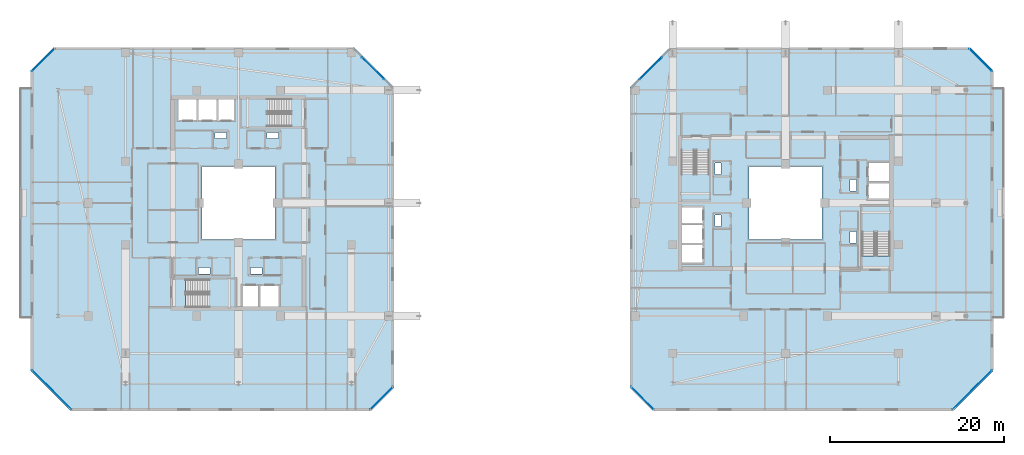
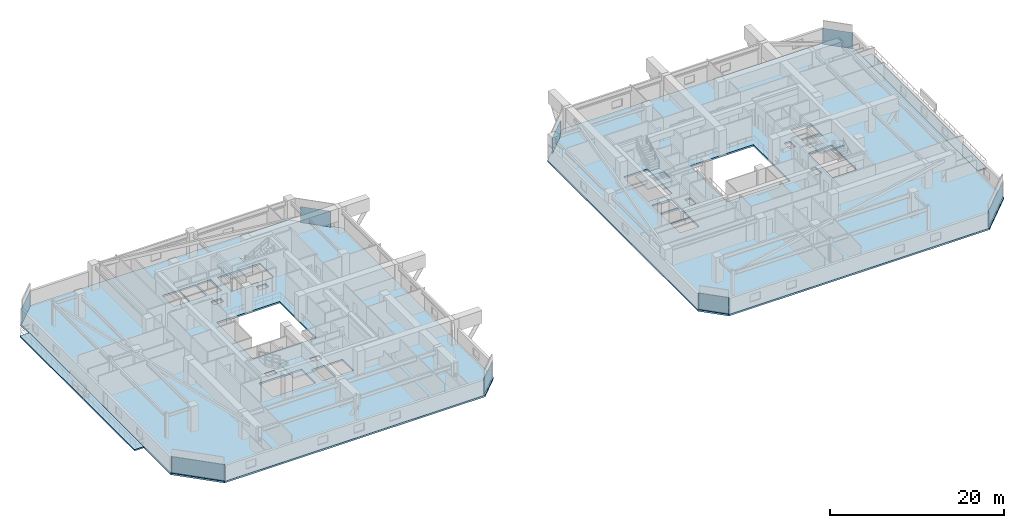
# One storey, part 17 of 34: 8 plates, 8 slabs, 12 elements without a shape of their own.
"""IFC4 building model written with IfcOpenShell, lengths in metres."""

from ifc_helpers import new_model, si_unit, direction, frame, origin, origin_2d, place, context, subcontext, project, spatial, polyline, rectangle, outline, extrude, material, layer, layer_set, type_object, element, aggregate, save


model = new_model("IFC4")

# Units and contexts
model_context = context("Model", 3, precision=1e-05, world=origin(), true_north=direction((0.0, 1.0)))
body_context = subcontext(model_context, "Body", "Model", "MODEL_VIEW")
ifc_project = project(units=[si_unit("LENGTHUNIT", "METRE"), si_unit("AREAUNIT", "SQUARE_METRE"), si_unit("VOLUMEUNIT", "CUBIC_METRE"), si_unit("PLANEANGLEUNIT", "RADIAN"), si_unit("MASSUNIT", "GRAM", prefix="KILO")], contexts=[model_context])

# Site, building, storey
site_placement = place(None, origin())
site = spatial("IfcSite", under=ifc_project, at=site_placement, CompositionType="ELEMENT")
building_placement = place(site_placement, origin())
building = spatial("IfcBuilding", under=site, at=building_placement, Name="Thornwick Lancets Civic Towers", CompositionType="ELEMENT")
storey_placement = place(building_placement, frame((0.0, 0.0, 251.10009765625)))
storey = spatial("IfcBuildingStorey", under=building, at=storey_placement, Name="L67", CompositionType="ELEMENT", Elevation=251.10009765625)

# Curtain wall, plate
ifc_material_1 = material(Name="High-zone chamfered-corner unitised glass curtain wall", Category="glass")
curtain_wall_type = type_object("IfcCurtainWallType", Name="CW_SYS_05", PredefinedType="NOTDEFINED", material=ifc_material_1)
curtain_wall_1_placement = place(storey_placement, origin())
curtain_wall_1 = element("IfcCurtainWall", 1, at=curtain_wall_1_placement, inside=storey, type_object=curtain_wall_type, Name="L67 Curtain Wall CW-L67-A-E1", PredefinedType="NOTDEFINED")
ifc_material_2 = material(Name="Low-e double glazing clear glass", Category="glass")
ifc_layer_1 = layer(ifc_material_2, 0.035888671875, Name="Low-e double glazing clear glass")
ifc_layer_set_1 = layer_set([ifc_layer_1], Name="Low-e double glazing clear glass")
plate_type = type_object("IfcPlateType", Name="CW_PNL_GLASS", PredefinedType="CURTAIN_PANEL", material=ifc_layer_set_1)
plate_1_placement = place(storey_placement, frame((41.972900390625, 4.527099609375, 0.0), z_axis=(0.0, 0.0, 1.0), x_axis=(0.707106781187, 0.707106781187, 0.0)))
plate_1 = element("IfcPlate", 2, at=plate_1_placement, type_object=plate_type, Name="CW-L67-A-E1 Panel 0", PredefinedType="CURTAIN_PANEL", context=body_context, shape_type="SweptSolid", body=[
    extrude(rectangle(XDim=3.649169921875, YDim=0.035888671875, at=origin_2d()), origin(), (0.0, 0.0, 1.0), 2.219970703125),
])
aggregate(curtain_wall_1, [plate_1])

curtain_wall_2_placement = place(storey_placement, origin())
curtain_wall_2 = element("IfcCurtainWall", 3, at=curtain_wall_2_placement, inside=storey, type_object=curtain_wall_type, Name="L67 Curtain Wall CW-L67-A-E3", PredefinedType="NOTDEFINED")
plate_2_placement = place(storey_placement, frame((41.004638671875, 42.504638671875, 0.0), z_axis=(0.0, 0.0, 1.0), x_axis=(-0.707106781187, 0.707106781187, 0.0)))
plate_2 = element("IfcPlate", 4, at=plate_2_placement, type_object=plate_type, Name="CW-L67-A-E3 Panel 0", PredefinedType="CURTAIN_PANEL", context=body_context, shape_type="SweptSolid", body=[
    extrude(rectangle(XDim=3.5771484375, YDim=0.035888671875, at=origin_2d()), origin(), (0.0, 0.0, 1.0), 2.219970703125),
])
aggregate(curtain_wall_2, [plate_2])

curtain_wall_3_placement = place(storey_placement, origin())
curtain_wall_3 = element("IfcCurtainWall", 5, at=curtain_wall_3_placement, inside=storey, type_object=curtain_wall_type, Name="L67 Curtain Wall CW-L67-A-E5", PredefinedType="NOTDEFINED")
plate_3_placement = place(storey_placement, frame((3.027099609375, 43.472900390625, 0.0), z_axis=(0.0, 0.0, 1.0), x_axis=(-0.707106781187, -0.707106781187, 0.0)))
plate_3 = element("IfcPlate", 6, at=plate_3_placement, type_object=plate_type, Name="CW-L67-A-E5 Panel 0", PredefinedType="CURTAIN_PANEL", context=body_context, shape_type="SweptSolid", body=[
    extrude(rectangle(XDim=3.649169921875, YDim=0.035888671875, at=origin_2d()), origin(), (0.0, 0.0, 1.0), 2.219970703125),
])
aggregate(curtain_wall_3, [plate_3])

curtain_wall_4_placement = place(storey_placement, origin())
curtain_wall_4 = element("IfcCurtainWall", 7, at=curtain_wall_4_placement, inside=storey, type_object=curtain_wall_type, Name="L67 Curtain Wall CW-L67-A-E7", PredefinedType="NOTDEFINED")
plate_4_placement = place(storey_placement, frame((3.995361328125, 5.495361328125, 0.0), z_axis=(0.0, 0.0, 1.0), x_axis=(0.707106781187, -0.707106781187, 0.0)))
plate_4 = element("IfcPlate", 8, at=plate_4_placement, type_object=plate_type, Name="CW-L67-A-E7 Panel 0", PredefinedType="CURTAIN_PANEL", context=body_context, shape_type="SweptSolid", body=[
    extrude(rectangle(XDim=6.370361328125, YDim=0.035888671875, at=origin_2d()), origin(), (0.0, 0.0, 1.0), 2.219970703125),
])
aggregate(curtain_wall_4, [plate_4])

curtain_wall_5_placement = place(storey_placement, origin())
curtain_wall_5 = element("IfcCurtainWall", 9, at=curtain_wall_5_placement, inside=storey, type_object=curtain_wall_type, Name="L67 Curtain Wall CW-L67-B-E1", PredefinedType="NOTDEFINED")
plate_5_placement = place(storey_placement, frame((110.004638671875, 5.495361328125, 0.0), z_axis=(0.0, 0.0, 1.0), x_axis=(0.707106781187, 0.707106781187, 0.0)))
plate_5 = element("IfcPlate", 10, at=plate_5_placement, type_object=plate_type, Name="CW-L67-B-E1 Panel 0", PredefinedType="CURTAIN_PANEL", context=body_context, shape_type="SweptSolid", body=[
    extrude(rectangle(XDim=6.370361328125, YDim=0.035888671875, at=origin_2d()), origin(), (0.0, 0.0, 1.0), 2.219970703125),
])
aggregate(curtain_wall_5, [plate_5])

curtain_wall_6_placement = place(storey_placement, origin())
curtain_wall_6 = element("IfcCurtainWall", 11, at=curtain_wall_6_placement, inside=storey, type_object=curtain_wall_type, Name="L67 Curtain Wall CW-L67-B-E3", PredefinedType="NOTDEFINED")
plate_6_placement = place(storey_placement, frame((110.972900390625, 43.472900390625, 0.0), z_axis=(0.0, 0.0, 1.0), x_axis=(-0.707106781187, 0.707106781187, 0.0)))
plate_6 = element("IfcPlate", 12, at=plate_6_placement, type_object=plate_type, Name="CW-L67-B-E3 Panel 0", PredefinedType="CURTAIN_PANEL", context=body_context, shape_type="SweptSolid", body=[
    extrude(rectangle(XDim=3.649169921875, YDim=0.035888671875, at=origin_2d()), origin(), (0.0, 0.0, 1.0), 2.219970703125),
])
aggregate(curtain_wall_6, [plate_6])

curtain_wall_7_placement = place(storey_placement, origin())
curtain_wall_7 = element("IfcCurtainWall", 13, at=curtain_wall_7_placement, inside=storey, type_object=curtain_wall_type, Name="L67 Curtain Wall CW-L67-B-E5", PredefinedType="NOTDEFINED")
plate_7_placement = place(storey_placement, frame((72.995361328125, 42.504638671875, 0.0), z_axis=(0.0, 0.0, 1.0), x_axis=(-0.707106781187, -0.707106781187, 0.0)))
plate_7 = element("IfcPlate", 14, at=plate_7_placement, type_object=plate_type, Name="CW-L67-B-E5 Panel 0", PredefinedType="CURTAIN_PANEL", context=body_context, shape_type="SweptSolid", body=[
    extrude(rectangle(XDim=3.5771484375, YDim=0.035888671875, at=origin_2d()), origin(), (0.0, 0.0, 1.0), 2.219970703125),
])
aggregate(curtain_wall_7, [plate_7])

curtain_wall_8_placement = place(storey_placement, origin())
curtain_wall_8 = element("IfcCurtainWall", 15, at=curtain_wall_8_placement, inside=storey, type_object=curtain_wall_type, Name="L67 Curtain Wall CW-L67-B-E7", PredefinedType="NOTDEFINED")
plate_8_placement = place(storey_placement, frame((72.027099609375, 4.527099609375, 0.0), z_axis=(0.0, 0.0, 1.0), x_axis=(0.707106781187, -0.707106781187, 0.0)))
plate_8 = element("IfcPlate", 16, at=plate_8_placement, type_object=plate_type, Name="CW-L67-B-E7 Panel 0", PredefinedType="CURTAIN_PANEL", context=body_context, shape_type="SweptSolid", body=[
    extrude(rectangle(XDim=3.649169921875, YDim=0.035888671875, at=origin_2d()), origin(), (0.0, 0.0, 1.0), 2.219970703125),
])
aggregate(curtain_wall_8, [plate_8])

# Slabs
ifc_material_3 = material(Name="Post-tensioned concrete C40/50", Category="concrete")
ifc_layer_2 = layer(ifc_material_3, 0.199951171875, Name="Post-tensioned concrete C40/50")
ifc_layer_set_2 = layer_set([ifc_layer_2], Name="Post-tensioned concrete C40/50")
slab_type_1 = type_object("IfcSlabType", Name="SLAB_BALCONY_200", PredefinedType="FLOOR", material=ifc_layer_set_2)
slab_1_placement = place(storey_placement, frame((0.0, 0.0, -0.2001953125)))
element("IfcSlab", 17, at=slab_1_placement, inside=storey, type_object=slab_type_1, Name="L67 Tower A Planted Balcony Slab W", PredefinedType="FLOOR", context=body_context, shape_type="SweptSolid", body=[
    extrude(outline(polyline([(0.35009765625, 13.800048828125), (1.60009765625, 13.800048828125), (1.60009765625, 40.199951171875), (0.35009765625, 40.199951171875), (0.35009765625, 13.800048828125)])), origin(), (0.0, 0.0, 1.0), 0.2001953125),
])
slab_2_placement = place(storey_placement, frame((0.0, 0.0, -0.2001953125)))
element("IfcSlab", 18, at=slab_2_placement, inside=storey, type_object=slab_type_1, Name="L67 Tower B Planted Balcony Slab E", PredefinedType="FLOOR", context=body_context, shape_type="SweptSolid", body=[
    extrude(outline(polyline([(112.39990234375, 13.800048828125), (113.64990234375, 13.800048828125), (113.64990234375, 40.199951171875), (112.39990234375, 40.199951171875), (112.39990234375, 13.800048828125)])), origin(), (0.0, 0.0, 1.0), 0.2001953125),
])

# Stair, slab
ifc_material_4 = material(Name="Concrete C40/50", Category="concrete")
stair_type = type_object("IfcStairType", Name="STAIR_DL_3600", PredefinedType="HALF_TURN_STAIR", material=ifc_material_4)
stair_1_placement = place(storey_placement, origin())
stair_1 = element("IfcStair", 19, at=stair_1_placement, inside=storey, type_object=stair_type, Name="L67 Tower A South Exit Stair ST-A1", PredefinedType="HALF_TURN_STAIR")
ifc_layer_3 = layer(ifc_material_4, 0.25, Name="Concrete C40/50")
ifc_layer_set_3 = layer_set([ifc_layer_3], Name="Concrete C40/50")
slab_type_2 = type_object("IfcSlabType", Name="SLAB_LANDING_200", PredefinedType="LANDING", material=ifc_layer_set_3)
slab_3_placement = place(storey_placement, frame((0.0, 0.0, 1.602783203125)))
slab_3 = element("IfcSlab", 20, at=slab_3_placement, type_object=slab_type_2, Name="ST-A1 landing 1", PredefinedType="LANDING", context=body_context, shape_type="SweptSolid", body=[
    extrude(outline(polyline([(22.169921875, 14.93994140625), (25.14990234375, 14.93994140625), (25.14990234375, 18.260009765625), (22.169921875, 18.260009765625), (22.169921875, 14.93994140625)])), origin(), (0.0, 0.0, 1.0), 0.2001953125),
])
aggregate(stair_1, [slab_3])

stair_2_placement = place(storey_placement, origin())
stair_2 = element("IfcStair", 21, at=stair_2_placement, inside=storey, type_object=stair_type, Name="L67 Tower A North Exit Stair ST-A2", PredefinedType="HALF_TURN_STAIR")
slab_4_placement = place(storey_placement, frame((0.0, 0.0, 1.602783203125)))
slab_4 = element("IfcSlab", 22, at=slab_4_placement, type_object=slab_type_2, Name="ST-A2 landing 1", PredefinedType="LANDING", context=body_context, shape_type="SweptSolid", body=[
    extrude(outline(polyline([(28.830078125, 39.06005859375), (25.85009765625, 39.06005859375), (25.85009765625, 35.739990234375), (28.830078125, 35.739990234375), (28.830078125, 39.06005859375)])), origin(), (0.0, 0.0, 1.0), 0.2001953125),
])
aggregate(stair_2, [slab_4])

stair_3_placement = place(storey_placement, origin())
stair_3 = element("IfcStair", 23, at=stair_3_placement, inside=storey, type_object=stair_type, Name="L67 Tower B East Exit Stair ST-B1", PredefinedType="HALF_TURN_STAIR")
slab_5_placement = place(storey_placement, frame((0.0, 0.0, 1.602783203125)))
slab_5 = element("IfcSlab", 24, at=slab_5_placement, type_object=slab_type_2, Name="ST-B1 landing 1", PredefinedType="LANDING", context=body_context, shape_type="SweptSolid", body=[
    extrude(outline(polyline([(100.56005859375, 23.669921875), (100.56005859375, 26.64990234375), (97.239990234375, 26.64990234375), (97.239990234375, 23.669921875), (100.56005859375, 23.669921875)])), origin(), (0.0, 0.0, 1.0), 0.2001953125),
])
aggregate(stair_3, [slab_5])

stair_4_placement = place(storey_placement, origin())
stair_4 = element("IfcStair", 25, at=stair_4_placement, inside=storey, type_object=stair_type, Name="L67 Tower B West Exit Stair ST-B2", PredefinedType="HALF_TURN_STAIR")
slab_6_placement = place(storey_placement, frame((0.0, 0.0, 1.602783203125)))
slab_6 = element("IfcSlab", 26, at=slab_6_placement, type_object=slab_type_2, Name="ST-B2 landing 1", PredefinedType="LANDING", context=body_context, shape_type="SweptSolid", body=[
    extrude(outline(polyline([(76.43994140625, 30.330078125), (76.43994140625, 27.35009765625), (79.760009765625, 27.35009765625), (79.760009765625, 30.330078125), (76.43994140625, 30.330078125)])), origin(), (0.0, 0.0, 1.0), 0.2001953125),
])
aggregate(stair_4, [slab_6])

# Slabs
ifc_layer_4 = layer(ifc_material_3, 0.239990234375, Name="Post-tensioned concrete C40/50")
ifc_layer_set_4 = layer_set([ifc_layer_4], Name="Post-tensioned concrete C40/50")
slab_type_3 = type_object("IfcSlabType", Name="SLAB_PT_240", PredefinedType="FLOOR", material=ifc_layer_set_4)
slab_7_placement = place(storey_placement, frame((0.0, 0.0, -0.239990234375)))
element("IfcSlab", 27, at=slab_7_placement, inside=storey, type_object=slab_type_3, Name="L67 Tower A Floor Slab", PredefinedType="FLOOR", context=body_context, shape_type="SweptSolid", body=[
    extrude(outline(polyline([(6.137939453125, 3.10009765625), (40.800048828125, 3.10009765625), (43.39990234375, 5.699951171875), (43.39990234375, 40.362060546875), (38.862060546875, 44.89990234375), (4.199951171875, 44.89990234375), (1.60009765625, 42.300048828125), (1.60009765625, 7.637939453125), (6.137939453125, 3.10009765625)]), holes=[polyline([(21.300048828125, 22.800048828125), (29.699951171875, 22.800048828125), (29.699951171875, 31.199951171875), (21.300048828125, 31.199951171875), (21.300048828125, 22.800048828125)]), polyline([(19.429931640625, 15.0), (25.10009765625, 15.0), (25.10009765625, 18.199951171875), (19.429931640625, 18.199951171875), (19.429931640625, 15.0)]), polyline([(31.570068359375, 39.0), (25.89990234375, 39.0), (25.89990234375, 35.800048828125), (31.570068359375, 35.800048828125), (31.570068359375, 39.0)]), polyline([(26.0, 15.0), (27.800048828125, 15.0), (27.800048828125, 17.550048828125), (26.0, 17.550048828125), (26.0, 15.0)]), polyline([(28.0, 15.0), (30.14990234375, 15.0), (30.14990234375, 17.550048828125), (28.0, 17.550048828125), (28.0, 15.0)]), polyline([(23.199951171875, 36.449951171875), (25.0, 36.449951171875), (25.0, 39.0), (23.199951171875, 39.0), (23.199951171875, 36.449951171875)]), polyline([(20.85009765625, 36.449951171875), (23.0, 36.449951171875), (23.0, 39.0), (20.85009765625, 39.0), (20.85009765625, 36.449951171875)]), polyline([(18.60009765625, 36.449951171875), (20.699951171875, 36.449951171875), (20.699951171875, 39.0), (18.60009765625, 39.0), (18.60009765625, 36.449951171875)]), polyline([(26.89990234375, 18.85009765625), (28.199951171875, 18.85009765625), (28.199951171875, 19.580078125), (26.89990234375, 19.580078125), (26.89990234375, 18.85009765625)]), polyline([(20.89990234375, 18.85009765625), (22.199951171875, 18.85009765625), (22.199951171875, 19.580078125), (20.89990234375, 19.580078125), (20.89990234375, 18.85009765625)]), polyline([(22.800048828125, 34.419921875), (24.10009765625, 34.419921875), (24.10009765625, 35.14990234375), (22.800048828125, 35.14990234375), (22.800048828125, 34.419921875)]), polyline([(28.800048828125, 34.419921875), (30.10009765625, 34.419921875), (30.10009765625, 35.14990234375), (28.800048828125, 35.14990234375), (28.800048828125, 34.419921875)])]), origin(), (0.0, 0.0, 1.0), 0.239990234375),
])
slab_8_placement = place(storey_placement, frame((0.0, 0.0, -0.239990234375)))
element("IfcSlab", 28, at=slab_8_placement, inside=storey, type_object=slab_type_3, Name="L67 Tower B Floor Slab", PredefinedType="FLOOR", context=body_context, shape_type="SweptSolid", body=[
    extrude(outline(polyline([(73.199951171875, 3.10009765625), (107.862060546875, 3.10009765625), (112.39990234375, 7.637939453125), (112.39990234375, 42.300048828125), (109.800048828125, 44.89990234375), (75.137939453125, 44.89990234375), (70.60009765625, 40.362060546875), (70.60009765625, 5.699951171875), (73.199951171875, 3.10009765625)]), holes=[polyline([(84.300048828125, 22.800048828125), (92.699951171875, 22.800048828125), (92.699951171875, 31.199951171875), (84.300048828125, 31.199951171875), (84.300048828125, 22.800048828125)]), polyline([(100.5, 20.929931640625), (100.5, 26.60009765625), (97.300048828125, 26.60009765625), (97.300048828125, 20.929931640625), (100.5, 20.929931640625)]), polyline([(76.5, 33.070068359375), (76.5, 27.39990234375), (79.699951171875, 27.39990234375), (79.699951171875, 33.070068359375), (76.5, 33.070068359375)]), polyline([(97.949951171875, 27.5), (100.5, 27.5), (100.5, 29.300048828125), (97.949951171875, 29.300048828125), (97.949951171875, 27.5)]), polyline([(97.949951171875, 29.5), (100.5, 29.5), (100.5, 31.64990234375), (97.949951171875, 31.64990234375), (97.949951171875, 29.5)]), polyline([(76.5, 24.699951171875), (79.050048828125, 24.699951171875), (79.050048828125, 26.5), (76.5, 26.5), (76.5, 24.699951171875)]), polyline([(76.5, 22.35009765625), (79.050048828125, 22.35009765625), (79.050048828125, 24.5), (76.5, 24.5), (76.5, 22.35009765625)]), polyline([(76.5, 20.10009765625), (79.050048828125, 20.10009765625), (79.050048828125, 22.199951171875), (76.5, 22.199951171875), (76.5, 20.10009765625)]), polyline([(95.919921875, 28.39990234375), (96.64990234375, 28.39990234375), (96.64990234375, 29.699951171875), (95.919921875, 29.699951171875), (95.919921875, 28.39990234375)]), polyline([(95.919921875, 22.39990234375), (96.64990234375, 22.39990234375), (96.64990234375, 23.699951171875), (95.919921875, 23.699951171875), (95.919921875, 22.39990234375)]), polyline([(80.35009765625, 24.300048828125), (81.080078125, 24.300048828125), (81.080078125, 25.60009765625), (80.35009765625, 25.60009765625), (80.35009765625, 24.300048828125)]), polyline([(80.35009765625, 30.300048828125), (81.080078125, 30.300048828125), (81.080078125, 31.60009765625), (80.35009765625, 31.60009765625), (80.35009765625, 30.300048828125)])]), origin(), (0.0, 0.0, 1.0), 0.239990234375),
])

save(model, "model.ifc")
